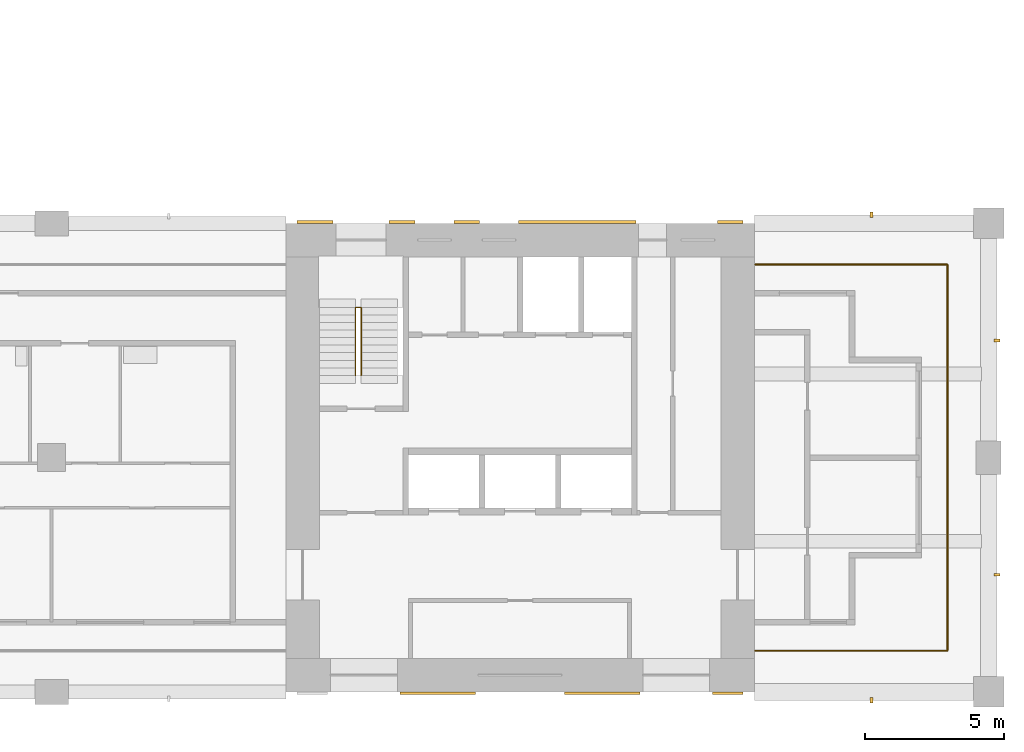
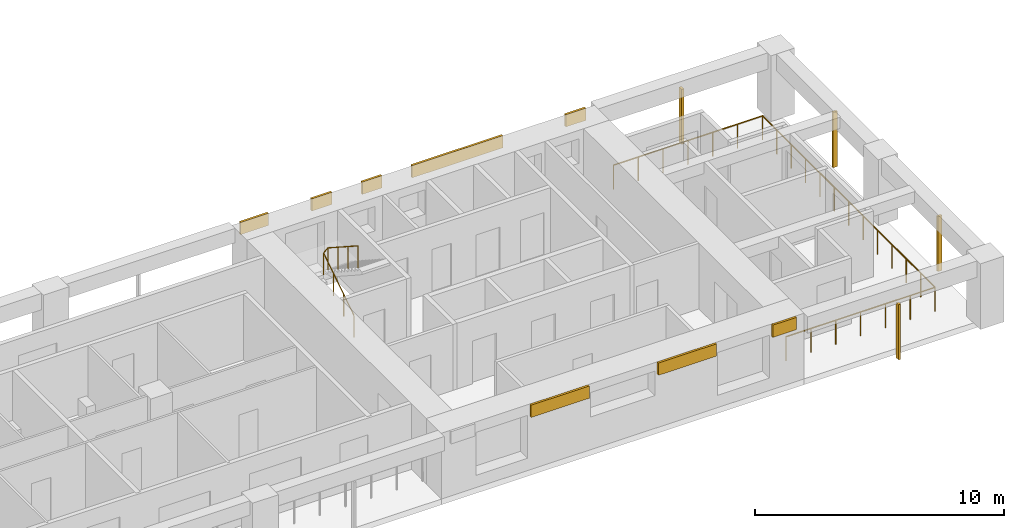
# One storey, part 8 of 10: 12 shading devices, 2 railings.
"""IFC4 building model written with IfcOpenShell, lengths in metres."""

from ifc_helpers import new_model, si_unit, direction, frame, origin, origin_2d, place, context, subcontext, project, spatial, rectangle, circle, extrude, material, layer, layer_set, material_profile, profile_set, type_object, element, save


model = new_model("IFC4")

# Units and contexts
model_context = context("Model", 3, precision=1e-05, world=origin(), true_north=direction((0.0, 1.0)))
body_context = subcontext(model_context, "Body", "Model", "MODEL_VIEW")
ifc_project = project(units=[si_unit("LENGTHUNIT", "METRE"), si_unit("AREAUNIT", "SQUARE_METRE"), si_unit("VOLUMEUNIT", "CUBIC_METRE"), si_unit("PLANEANGLEUNIT", "RADIAN"), si_unit("MASSUNIT", "GRAM", prefix="KILO")], contexts=[model_context])

# Site, building, storey
site_placement = place(None, origin())
site = spatial("IfcSite", under=ifc_project, at=site_placement, CompositionType="ELEMENT")
building_placement = place(site_placement, origin())
building = spatial("IfcBuilding", under=site, at=building_placement, Name="Vermilion Gate Residences", CompositionType="ELEMENT")
storey_placement = place(building_placement, frame((0.0, 0.0, 168.699951171875)))
storey = spatial("IfcBuildingStorey", under=building, at=storey_placement, Name="L43", CompositionType="ELEMENT", Elevation=168.699951171875)

# Railings
ifc_material_1 = material(Name="Stainless steel and toughened glass", Category="steel")
railing_type_1 = type_object("IfcRailingType", Name="LOGGIA GUARD STEEL AND GLASS 1200", PredefinedType="GUARDRAIL", material=ifc_material_1)
railing_1_placement = place(storey_placement, frame((58.822021484375, 9.875, 0.0)))
element("IfcRailing", 1, at=railing_1_placement, inside=storey, type_object=railing_type_1, Name="Loggia guard", PredefinedType="GUARDRAIL", context=body_context, shape_type="SweptSolid", body=[
    extrude(circle(Radius=0.030029296875, at=origin_2d()), frame((0.0, 0.0, 1.169921875), z_axis=(1.0, 0.0, 0.0), x_axis=(0.0, 1.0, 0.0)), (0.0, 0.0, 1.0), 6.903076171875),
    extrude(circle(Radius=0.030029296875, at=origin_2d()), frame((6.903076171875, 0.0, 1.169921875), z_axis=(0.0, 1.0, 0.0), x_axis=(-1.0, 0.0, 0.0)), (0.0, 0.0, 1.0), 13.85009765625),
    extrude(circle(Radius=0.030029296875, at=origin_2d()), frame((6.903076171875, 13.85009765625, 1.169921875), z_axis=(-1.0, 0.0, 0.0), x_axis=(0.0, -1.0, 0.0)), (0.0, 0.0, 1.0), 6.903076171875),
    extrude(circle(Radius=0.02490234375, at=origin_2d()), origin(), (0.0, 0.0, 1.0), 1.139892578125),
    extrude(circle(Radius=0.02490234375, at=origin_2d()), frame((1.150390625, 0.0, 0.0)), (0.0, 0.0, 1.0), 1.139892578125),
    extrude(circle(Radius=0.02490234375, at=origin_2d()), frame((2.301025390625, 0.0, 0.0)), (0.0, 0.0, 1.0), 1.139892578125),
    extrude(circle(Radius=0.02490234375, at=origin_2d()), frame((3.45166015625, 0.0, 0.0)), (0.0, 0.0, 1.0), 1.139892578125),
    extrude(circle(Radius=0.02490234375, at=origin_2d()), frame((4.60205078125, 0.0, 0.0)), (0.0, 0.0, 1.0), 1.139892578125),
    extrude(circle(Radius=0.02490234375, at=origin_2d()), frame((5.75244140625, 0.0, 0.0)), (0.0, 0.0, 1.0), 1.139892578125),
    extrude(circle(Radius=0.02490234375, at=origin_2d()), frame((6.903076171875, 0.0, 0.0)), (0.0, 0.0, 1.0), 1.139892578125),
    extrude(circle(Radius=0.02490234375, at=origin_2d()), frame((6.903076171875, 1.154296875, 0.0)), (0.0, 0.0, 1.0), 1.139892578125),
    extrude(circle(Radius=0.02490234375, at=origin_2d()), frame((6.903076171875, 2.308349609375, 0.0)), (0.0, 0.0, 1.0), 1.139892578125),
    extrude(circle(Radius=0.02490234375, at=origin_2d()), frame((6.903076171875, 3.46240234375, 0.0)), (0.0, 0.0, 1.0), 1.139892578125),
    extrude(circle(Radius=0.02490234375, at=origin_2d()), frame((6.903076171875, 4.61669921875, 0.0)), (0.0, 0.0, 1.0), 1.139892578125),
    extrude(circle(Radius=0.02490234375, at=origin_2d()), frame((6.903076171875, 5.77099609375, 0.0)), (0.0, 0.0, 1.0), 1.139892578125),
    extrude(circle(Radius=0.02490234375, at=origin_2d()), frame((6.903076171875, 6.925048828125, 0.0)), (0.0, 0.0, 1.0), 1.139892578125),
    extrude(circle(Radius=0.02490234375, at=origin_2d()), frame((6.903076171875, 8.0791015625, 0.0)), (0.0, 0.0, 1.0), 1.139892578125),
    extrude(circle(Radius=0.02490234375, at=origin_2d()), frame((6.903076171875, 9.2333984375, 0.0)), (0.0, 0.0, 1.0), 1.139892578125),
    extrude(circle(Radius=0.02490234375, at=origin_2d()), frame((6.903076171875, 10.3876953125, 0.0)), (0.0, 0.0, 1.0), 1.139892578125),
    extrude(circle(Radius=0.02490234375, at=origin_2d()), frame((6.903076171875, 11.541748046875, 0.0)), (0.0, 0.0, 1.0), 1.139892578125),
    extrude(circle(Radius=0.02490234375, at=origin_2d()), frame((6.903076171875, 12.69580078125, 0.0)), (0.0, 0.0, 1.0), 1.139892578125),
    extrude(circle(Radius=0.02490234375, at=origin_2d()), frame((6.903076171875, 13.85009765625, 0.0)), (0.0, 0.0, 1.0), 1.139892578125),
    extrude(circle(Radius=0.02490234375, at=origin_2d()), frame((5.75244140625, 13.85009765625, 0.0)), (0.0, 0.0, 1.0), 1.139892578125),
    extrude(circle(Radius=0.02490234375, at=origin_2d()), frame((4.60205078125, 13.85009765625, 0.0)), (0.0, 0.0, 1.0), 1.139892578125),
    extrude(circle(Radius=0.02490234375, at=origin_2d()), frame((3.45166015625, 13.85009765625, 0.0)), (0.0, 0.0, 1.0), 1.139892578125),
    extrude(circle(Radius=0.02490234375, at=origin_2d()), frame((2.301025390625, 13.85009765625, 0.0)), (0.0, 0.0, 1.0), 1.139892578125),
    extrude(circle(Radius=0.02490234375, at=origin_2d()), frame((1.150390625, 13.85009765625, 0.0)), (0.0, 0.0, 1.0), 1.139892578125),
    extrude(circle(Radius=0.02490234375, at=origin_2d()), frame((0.0, 13.85009765625, 0.0)), (0.0, 0.0, 1.0), 1.139892578125),
])
ifc_material_2 = material(Name="Steel S355", Category="steel")
railing_type_2 = type_object("IfcRailingType", Name="STAIR GUARD 1100 STEEL", PredefinedType="GUARDRAIL", material=ifc_material_2)
railing_2_placement = place(storey_placement, frame((44.5, 19.75, 0.175048828125)))
element("IfcRailing", 2, at=railing_2_placement, inside=storey, type_object=railing_type_2, Name="Stair well guard STA1-43", PredefinedType="GUARDRAIL", context=body_context, shape_type="SweptSolid", body=[
    extrude(circle(Radius=0.02392578125, at=origin_2d()), frame((0.0, 0.0, 1.076171875), z_axis=(0.0, 0.839153699163, 0.543894354798), x_axis=(-1.0, 0.0, 0.0)), (0.0, 0.0, 1.0), 2.895751953125),
    extrude(circle(Radius=0.02392578125, at=origin_2d()), frame((0.0, 2.429931640625, 2.65087890625), z_axis=(0.752405939678, 0.0, 0.658699705433), x_axis=(0.0, 1.0, 0.0)), (0.0, 0.0, 1.0), 0.265869140625),
    extrude(circle(Radius=0.02392578125, at=origin_2d()), frame((0.199951171875, 2.429931640625, 2.826171875), z_axis=(0.0, -0.839153699163, 0.543894354798), x_axis=(1.0, 0.0, 0.0)), (0.0, 0.0, 1.0), 2.895751953125),
    extrude(circle(Radius=0.02099609375, at=origin_2d()), origin(), (0.0, 0.0, 1.0), 1.052001953125),
    extrude(circle(Radius=0.02099609375, at=origin_2d()), frame((0.0, 0.81005859375, 0.52490234375)), (0.0, 0.0, 1.0), 1.052001953125),
    extrude(circle(Radius=0.02099609375, at=origin_2d()), frame((0.0, 1.619873046875, 1.050048828125)), (0.0, 0.0, 1.0), 1.052001953125),
    extrude(circle(Radius=0.02099609375, at=origin_2d()), frame((0.0, 2.429931640625, 1.574951171875)), (0.0, 0.0, 1.0), 1.052001953125),
    extrude(circle(Radius=0.02099609375, at=origin_2d()), frame((0.199951171875, 2.429931640625, 1.75)), (0.0, 0.0, 1.0), 1.052001953125),
    extrude(circle(Radius=0.02099609375, at=origin_2d()), frame((0.199951171875, 1.619873046875, 2.27490234375)), (0.0, 0.0, 1.0), 1.052001953125),
    extrude(circle(Radius=0.02099609375, at=origin_2d()), frame((0.199951171875, 0.81005859375, 2.800048828125)), (0.0, 0.0, 1.0), 1.052001953125),
    extrude(circle(Radius=0.02099609375, at=origin_2d()), frame((0.199951171875, 0.0, 3.324951171875)), (0.0, 0.0, 1.0), 1.052001953125),
])

# Shading devices
ifc_material_3 = material(Name="Extruded terracotta", Category="masonry")
ifc_material_profile = material_profile(ifc_material_3, rectangle(XDim=0.199951171875, YDim=0.10009765625, at=origin_2d()), Name="BAGUETTE 100 X 200")
ifc_profile_set = profile_set([ifc_material_profile], Name="Extruded terracotta")
shading_device_type_1 = type_object("IfcShadingDeviceType", Name="TERRACOTTA BAGUETTE 100 X 200", PredefinedType="JALOUSIE", material=ifc_profile_set)
for number, where, z_axis, x_axis, name in (
    (3, (63.0, 8.10009765625, -0.280029296875), (0.0, 0.0, 1.0), (0.0, 1.0, 0.0), "BAGUETTE"),
    (4, (67.5, 12.60009765625, -0.280029296875), (0.0, 0.0, 1.0), (-1.0, 0.0, 0.0), "BAGUETTE"),
    (5, (67.5, 21.0, -0.280029296875), (0.0, 0.0, 1.0), (-1.0, 0.0, 0.0), "BAGUETTE"),
    (6, (63.0, 25.5, -0.280029296875), (0.0, 0.0, 1.0), (0.0, -1.0, 0.0), "BAGUETTE"),
):
    element("IfcShadingDevice", number, at=place(storey_placement, frame(where, z_axis=z_axis, x_axis=x_axis)), inside=storey, type_object=shading_device_type_1, Name=name, PredefinedType="JALOUSIE", context=body_context, shape_type="SweptSolid", body=[
        extrude(rectangle(XDim=0.199951171875, YDim=0.10009765625, at=origin_2d()), origin(), (0.0, 0.0, 1.0), 2.7001953125),
    ])
ifc_material_4 = material(Name="Extruded terracotta", Category="masonry")
ifc_layer = layer(ifc_material_4, 0.10009765625)
ifc_layer_set = layer_set([ifc_layer], Name="TERRACOTTA SPANDREL BAND 600 X 100")
shading_device_type_2 = type_object("IfcShadingDeviceType", Name="TERRACOTTA SPANDREL BAND 600 X 100", PredefinedType="USERDEFINED", material=ifc_layer_set)
for number, where, z_axis, x_axis, name in (
    (7, (47.449951171875, 8.35009765625, 2.6201171875), (0.0, 0.0, 1.0), (1.0, 0.0, 0.0), "SPANDREL BAND"),
    (8, (53.35009765625, 8.35009765625, 2.6201171875), (0.0, 0.0, 1.0), (1.0, 0.0, 0.0), "SPANDREL BAND"),
):
    element("IfcShadingDevice", number, at=place(storey_placement, frame(where, z_axis=z_axis, x_axis=x_axis)), inside=storey, type_object=shading_device_type_2, Name=name, ObjectType="BAND", PredefinedType="USERDEFINED", context=body_context, shape_type="SweptSolid", body=[
        extrude(rectangle(XDim=2.699951171875, YDim=0.10009765625, at=origin_2d()), origin(), (0.0, 0.0, 1.0), 0.60009765625),
    ])
shading_device_1_placement = place(storey_placement, frame((57.85009765625, 8.35009765625, 2.6201171875), z_axis=(0.0, 0.0, 1.0), x_axis=(1.0, 0.0, 0.0)))
element("IfcShadingDevice", 9, at=shading_device_1_placement, inside=storey, type_object=shading_device_type_2, Name="SPANDREL BAND", ObjectType="BAND", PredefinedType="USERDEFINED", context=body_context, shape_type="SweptSolid", body=[
    extrude(rectangle(XDim=1.10009765625, YDim=0.10009765625, at=origin_2d()), origin(), (0.0, 0.0, 1.0), 0.60009765625),
])
shading_device_2_placement = place(storey_placement, frame((43.050048828125, 25.25, 2.6201171875), z_axis=(0.0, 0.0, 1.0), x_axis=(1.0, 0.0, 0.0)))
element("IfcShadingDevice", 10, at=shading_device_2_placement, inside=storey, type_object=shading_device_type_2, Name="SPANDREL BAND", ObjectType="BAND", PredefinedType="USERDEFINED", context=body_context, shape_type="SweptSolid", body=[
    extrude(rectangle(XDim=1.300048828125, YDim=0.10009765625, at=origin_2d()), origin(), (0.0, 0.0, 1.0), 0.60009765625),
])
shading_device_3_placement = place(storey_placement, frame((46.168701171875, 25.25, 2.6201171875), z_axis=(0.0, 0.0, 1.0), x_axis=(1.0, 0.0, 0.0)))
element("IfcShadingDevice", 11, at=shading_device_3_placement, inside=storey, type_object=shading_device_type_2, Name="SPANDREL BAND", ObjectType="BAND", PredefinedType="USERDEFINED", context=body_context, shape_type="SweptSolid", body=[
    extrude(rectangle(XDim=0.9375, YDim=0.10009765625, at=origin_2d()), origin(), (0.0, 0.0, 1.0), 0.60009765625),
])
shading_device_4_placement = place(storey_placement, frame((48.49365234375, 25.25, 2.6201171875), z_axis=(0.0, 0.0, 1.0), x_axis=(1.0, 0.0, 0.0)))
element("IfcShadingDevice", 12, at=shading_device_4_placement, inside=storey, type_object=shading_device_type_2, Name="SPANDREL BAND", ObjectType="BAND", PredefinedType="USERDEFINED", context=body_context, shape_type="SweptSolid", body=[
    extrude(rectangle(XDim=0.91259765625, YDim=0.10009765625, at=origin_2d()), origin(), (0.0, 0.0, 1.0), 0.60009765625),
])
shading_device_5_placement = place(storey_placement, frame((52.449951171875, 25.25, 2.6201171875), z_axis=(0.0, 0.0, 1.0), x_axis=(1.0, 0.0, 0.0)))
element("IfcShadingDevice", 13, at=shading_device_5_placement, inside=storey, type_object=shading_device_type_2, Name="SPANDREL BAND", ObjectType="BAND", PredefinedType="USERDEFINED", context=body_context, shape_type="SweptSolid", body=[
    extrude(rectangle(XDim=4.199951171875, YDim=0.10009765625, at=origin_2d()), origin(), (0.0, 0.0, 1.0), 0.60009765625),
])
shading_device_6_placement = place(storey_placement, frame((57.9375, 25.25, 2.6201171875), z_axis=(0.0, 0.0, 1.0), x_axis=(1.0, 0.0, 0.0)))
element("IfcShadingDevice", 14, at=shading_device_6_placement, inside=storey, type_object=shading_device_type_2, Name="SPANDREL BAND", ObjectType="BAND", PredefinedType="USERDEFINED", context=body_context, shape_type="SweptSolid", body=[
    extrude(rectangle(XDim=0.925048828125, YDim=0.10009765625, at=origin_2d()), origin(), (0.0, 0.0, 1.0), 0.60009765625),
])

save(model, "model.ifc")
